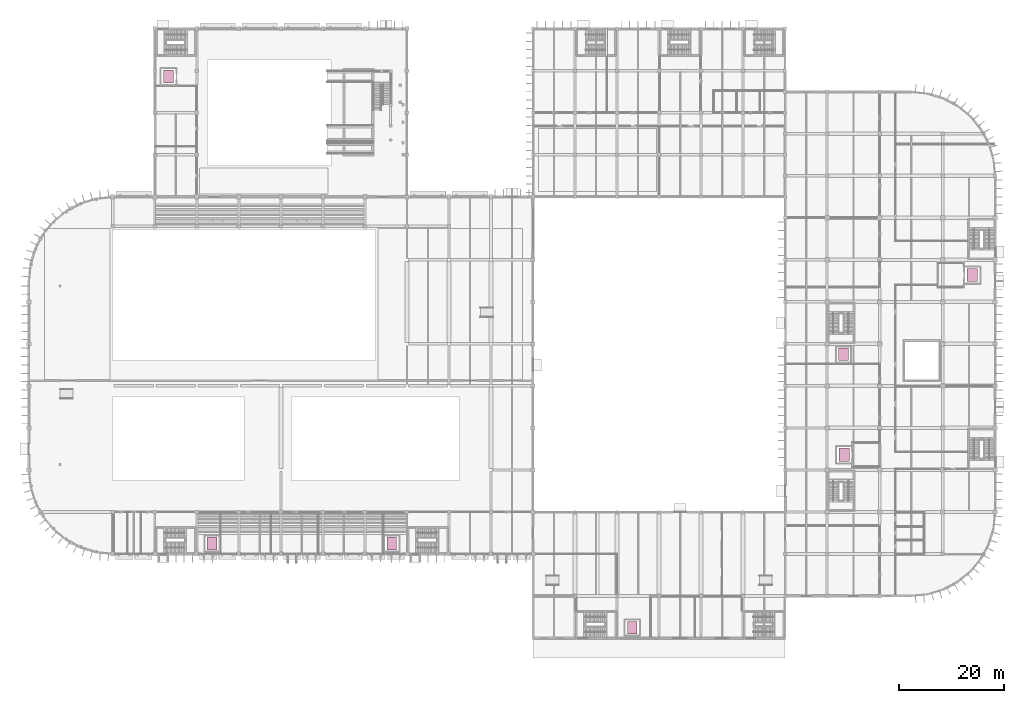
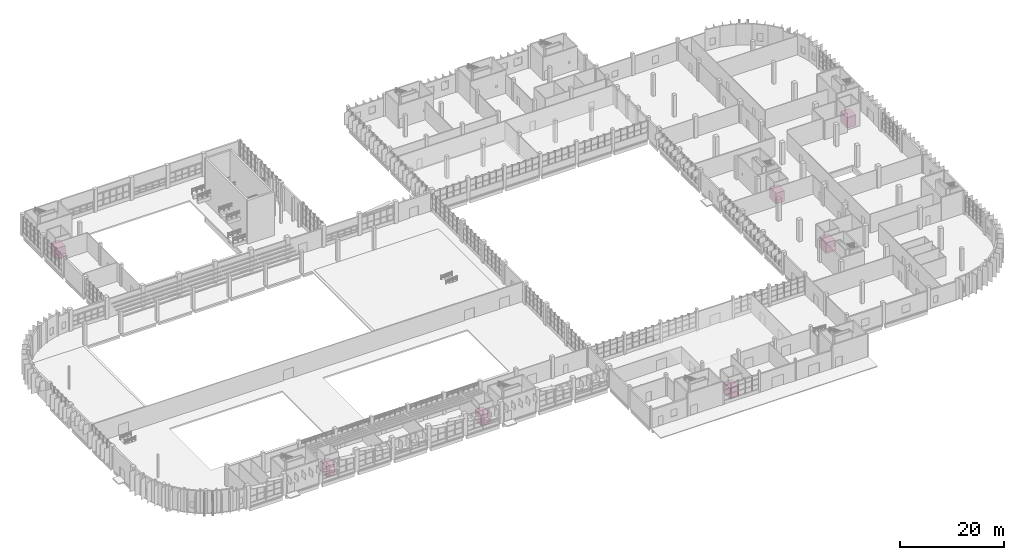
# One storey, part 103 of 103: 7 transport elements.
"""IFC4 building model written with IfcOpenShell, lengths in metres."""

from ifc_helpers import new_model, si_unit, direction, frame, origin, origin_2d, place, context, subcontext, project, spatial, rectangle, extrude, material, type_object, element, save


model = new_model("IFC4")

# Units and contexts
model_context = context("Model", 3, precision=1e-05, world=origin(), true_north=direction((0.0, 1.0)))
body_context = subcontext(model_context, "Body", "Model", "MODEL_VIEW")
ifc_project = project(units=[si_unit("LENGTHUNIT", "METRE"), si_unit("AREAUNIT", "SQUARE_METRE"), si_unit("VOLUMEUNIT", "CUBIC_METRE"), si_unit("PLANEANGLEUNIT", "RADIAN"), si_unit("MASSUNIT", "GRAM", prefix="KILO")], contexts=[model_context])

# Site, building, storey
site_placement = place(None, origin())
site = spatial("IfcSite", under=ifc_project, at=site_placement, CompositionType="ELEMENT")
building_placement = place(site_placement, origin())
building = spatial("IfcBuilding", under=site, at=building_placement, Name="Drelvana Railside Aquatics Centre", CompositionType="ELEMENT")
storey_placement = place(building_placement, origin())
storey = spatial("IfcBuildingStorey", under=building, at=storey_placement, Name="L00", CompositionType="ELEMENT", Elevation=0.0)

# Transport elements
ifc_material_1 = material(Name="Firefighting stainless steel stretcher lift car", Category="steel")
transport_element_type_1 = type_object("IfcTransportElementType", Name="LFT-FF-2000x2500", PredefinedType="ELEVATOR", material=ifc_material_1)
for number, where, z_axis, x_axis, name in (
    (1, (155.199951171875, 34.89990234375, 0.0), (0.0, 0.0, 1.0), (1.0, 0.0, 0.0), "Firefighting lift FL-01"),
    (2, (179.60009765625, 69.10009765625, 0.0), (0.0, 0.0, 1.0), (1.0, 0.0, 0.0), "Firefighting lift FL-02"),
):
    element("IfcTransportElement", number, at=place(storey_placement, frame(where, z_axis=z_axis, x_axis=x_axis)), inside=storey, type_object=transport_element_type_1, Name=name, PredefinedType="ELEVATOR", context=body_context, shape_type="SweptSolid", body=[
        extrude(rectangle(XDim=2.0, YDim=2.5, at=origin_2d()), origin(), (0.0, 0.0, 1.0), 2.5),
    ])
ifc_material_2 = material(Name="Brushed stainless steel lift car", Category="steel")
transport_element_type_2 = type_object("IfcTransportElementType", Name="LFT-PASS-1850x2400", PredefinedType="ELEVATOR", material=ifc_material_2)
for number, where, z_axis, x_axis, name in (
    (3, (34.89990234375, 18.0, 0.0), (0.0, 0.0, 1.0), (1.0, 0.0, 0.0), "Passenger lift LP-01"),
    (4, (69.10009765625, 18.0, 0.0), (0.0, 0.0, 1.0), (1.0, 0.0, 0.0), "Passenger lift LP-02"),
    (5, (26.60009765625, 106.89990234375, 0.0), (0.0, 0.0, 1.0), (1.0, 0.0, 0.0), "Goods lift LG-01"),
    (6, (114.89990234375, 2.0, 0.0), (0.0, 0.0, 1.0), (1.0, 0.0, 0.0), "Passenger lift LP-03"),
    (7, (155.10009765625, 54.0, 0.0), (0.0, 0.0, 1.0), (1.0, 0.0, 0.0), "Passenger lift LP-04"),
):
    element("IfcTransportElement", number, at=place(storey_placement, frame(where, z_axis=z_axis, x_axis=x_axis)), inside=storey, type_object=transport_element_type_2, Name=name, PredefinedType="ELEVATOR", context=body_context, shape_type="SweptSolid", body=[
        extrude(rectangle(XDim=1.85009765625, YDim=2.39990234375, at=origin_2d()), origin(), (0.0, 0.0, 1.0), 2.5),
    ])

save(model, "model.ifc")
